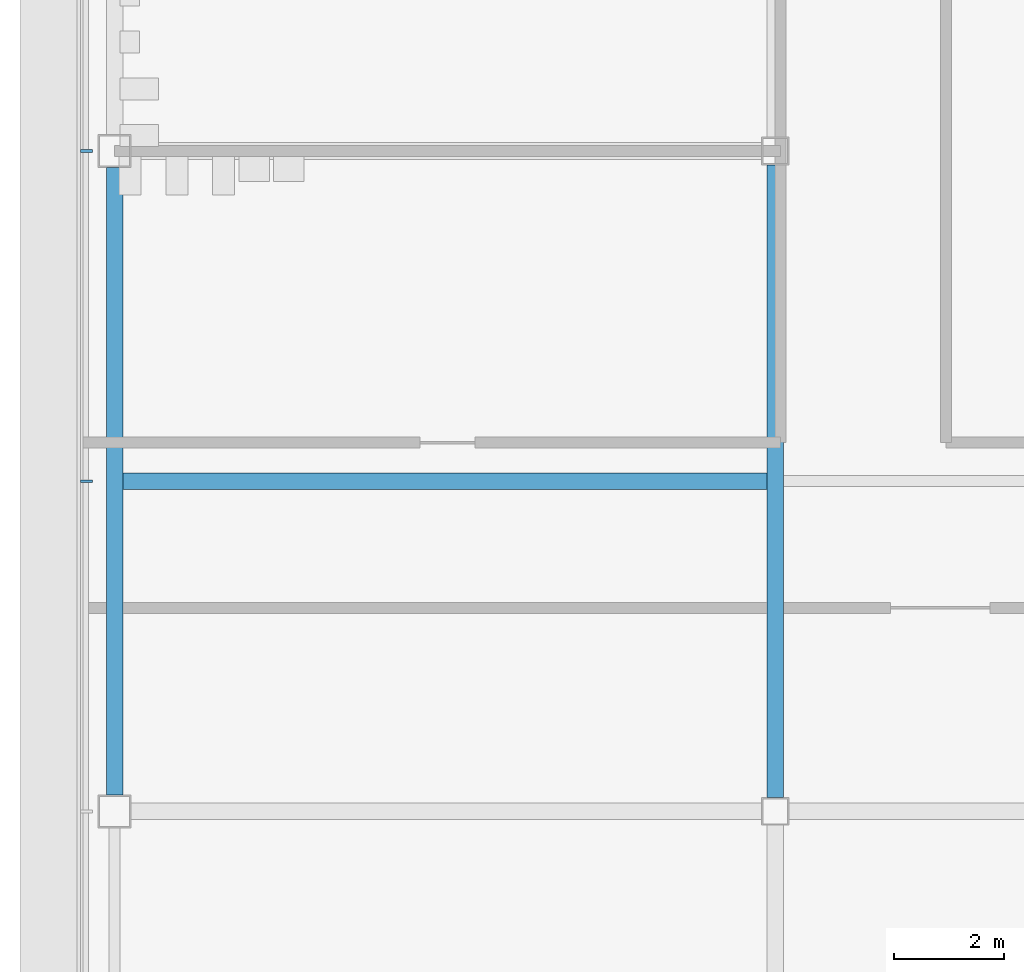
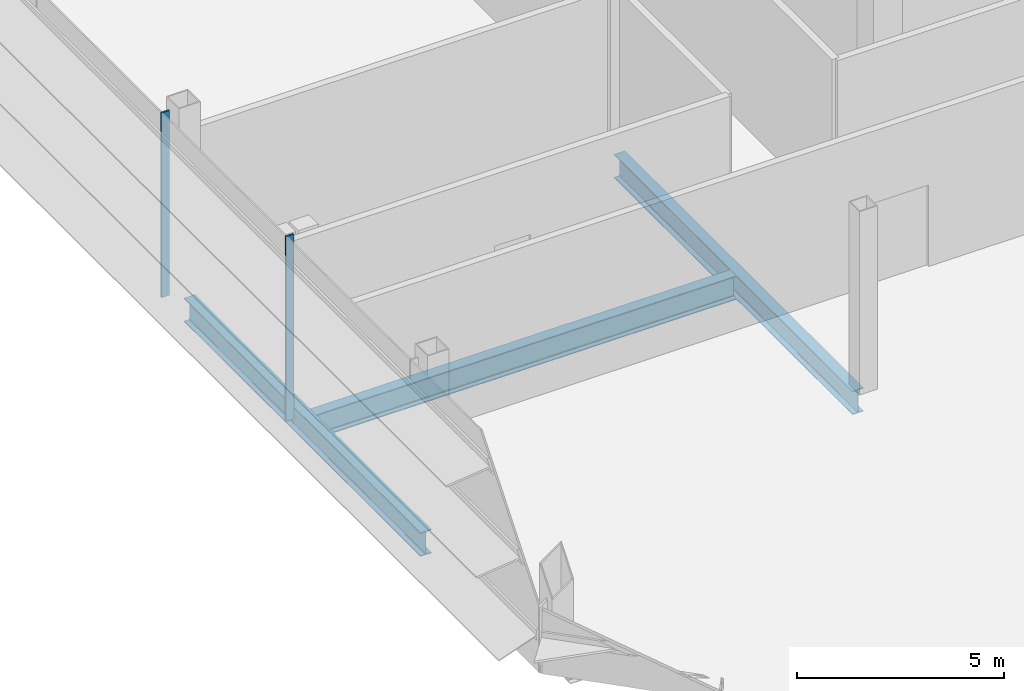
# One storey, part 5 of 26: 3 beams, 2 members, 1 element without a shape of its own.
"""IFC4 building model written with IfcOpenShell, lengths in metres."""

import ifcopenshell
import ifcopenshell.guid

model = None  # the IFC model being written
_history = None  # IfcOwnerHistory: only IFC2X3 demands one
_inside = {}  # id of a spatial element -> (the spatial element, [elements in it])
_under = {}  # id of a project, library or spatial element -> (it, [spatial elements below it])
_declared = {}  # id of a project -> (the project, [libraries it declares])
_typed = {}  # id of a type object -> (the type object, [elements of that type])
_made_of = {}  # id of a material, layer set ... -> (it, [elements and type objects made of it])


def new_model(schema):
    """Start an empty IFC model of exactly this schema.

    Asked for "IFC4X3", IfcOpenShell would pick the latest addendum, in which some entities
    have other attributes; the version numbers below select the first issue.
    IFC2X3 requires an IfcOwnerHistory on every rooted entity: one is made here for all.
    """
    global model, _history
    if schema == "IFC4X3":
        model = ifcopenshell.file(schema_version=(4, 3, 0, 0))
    else:
        model = ifcopenshell.file(schema=schema)
    _inside.clear()
    _under.clear()
    _declared.clear()
    _typed.clear()
    _made_of.clear()
    _history = None
    if model.schema == "IFC2X3":
        org = make("IfcOrganization", Name="unknown")
        user = make(
            "IfcPersonAndOrganization",
            ThePerson=make("IfcPerson", FamilyName="unknown"),
            TheOrganization=org,
        )
        app = make(
            "IfcApplication",
            ApplicationDeveloper=org,
            Version="unknown",
            ApplicationFullName="unknown",
            ApplicationIdentifier="unknown",
        )
        _history = make(
            "IfcOwnerHistory",
            OwningUser=user,
            OwningApplication=app,
            ChangeAction="ADDED",
            CreationDate=0,
        )
    return model


def make(cls, **values):
    """One entity of the class cls with the attributes given. An attribute that is None is left unset."""
    return model.create_entity(
        cls, **{name: value for name, value in values.items() if value is not None}
    )


def rooted(cls, **values):
    """An entity with a GlobalId (a new one), such as an element, a storey or a relation."""
    return make(cls, GlobalId=ifcopenshell.guid.new(), OwnerHistory=_history, **values)


def si_unit(unit_type, name, prefix=None):
    """IfcSIUnit, for example si_unit("LENGTHUNIT", "METRE", prefix="MILLI")."""
    return make("IfcSIUnit", UnitType=unit_type, Prefix=prefix, Name=name)


def assignment(units):
    """IfcUnitAssignment: the units of a project."""
    return None if units is None else make("IfcUnitAssignment", Units=units)


def point(xyz):
    """IfcCartesianPoint."""
    return None if xyz is None else make("IfcCartesianPoint", Coordinates=xyz)


def direction(xyz):
    """IfcDirection."""
    return None if xyz is None else make("IfcDirection", DirectionRatios=xyz)


def frame(location, z_axis=None, x_axis=None):
    """IfcAxis2Placement3D, a coordinate frame: its origin and axes. An axis left out is left unset."""
    return make(
        "IfcAxis2Placement3D",
        Location=point(location),
        Axis=direction(z_axis),
        RefDirection=direction(x_axis),
    )


def frame_2d(location, x_axis=None):
    """IfcAxis2Placement2D, a coordinate frame in the plane: its origin and x axis."""
    return make(
        "IfcAxis2Placement2D", Location=point(location), RefDirection=direction(x_axis)
    )


def origin():
    """The frame at (0, 0, 0) with its axes left unset."""
    return frame((0.0, 0.0, 0.0))


def origin_2d():
    """The frame at (0, 0) in the plane with its x axis left unset."""
    return frame_2d((0.0, 0.0))


def place(relative_to, where):
    """IfcLocalPlacement: puts the frame where relative to a parent placement (None: the world)."""
    return make(
        "IfcLocalPlacement", PlacementRelTo=relative_to, RelativePlacement=where
    )


def context(
    kind, dimensions, precision=None, world=None, true_north=None, identifier=None
):
    """IfcGeometricRepresentationContext, for example the 3D "Model" context."""
    return make(
        "IfcGeometricRepresentationContext",
        ContextIdentifier=identifier,
        ContextType=kind,
        CoordinateSpaceDimension=dimensions,
        Precision=precision,
        WorldCoordinateSystem=world,
        TrueNorth=true_north,
    )


def subcontext(parent, identifier, kind, view, scale=None):
    """IfcGeometricRepresentationSubContext, for example "Body" below "Model"."""
    return make(
        "IfcGeometricRepresentationSubContext",
        ContextIdentifier=identifier,
        ContextType=kind,
        ParentContext=parent,
        TargetScale=scale,
        TargetView=view,
    )


def project(units=None, contexts=None):
    """IfcProject with its units and contexts."""
    return rooted(
        "IfcProject",
        Name="project",
        RepresentationContexts=contexts,
        UnitsInContext=assignment(units),
    )


def spatial(cls, under=None, at=None, **own):
    """A site, building, storey or space (cls), placed at a placement, below another one or the project."""
    s = rooted(cls, ObjectPlacement=at, **own)
    if under is not None:
        _under.setdefault(under.id(), (under, []))[1].append(s)
    return s


def profile(cls, at=None, kind="AREA", **sizes):
    """A parametric profile (cls). Its sizes go by their IFC names, for example OverallWidth=200.0."""
    return make(cls, ProfileType=kind, Position=at, **sizes)


def rectangle(**sizes):
    """IfcRectangleProfileDef."""
    return profile("IfcRectangleProfileDef", **sizes)


def i_section(**sizes):
    """IfcIShapeProfileDef."""
    return profile("IfcIShapeProfileDef", **sizes)


def extrude(swept, where, along, depth):
    """IfcExtrudedAreaSolid: the profile swept, set in the frame where, extruded along a direction by depth."""
    return make(
        "IfcExtrudedAreaSolid",
        SweptArea=swept,
        Position=where,
        ExtrudedDirection=direction(along),
        Depth=depth,
    )


def shape(context_of_items, identifier, shape_type, items):
    """IfcShapeRepresentation: the items that make up one representation, for example the "Body"."""
    return make(
        "IfcShapeRepresentation",
        ContextOfItems=context_of_items,
        RepresentationIdentifier=identifier,
        RepresentationType=shape_type,
        Items=items,
    )


def material(Name=None, Category=None):
    """IfcMaterial."""
    return make("IfcMaterial", Name=Name, Category=Category)


def material_profile(
    of_material, cross_section, Name=None, Category=None, Priority=None
):
    """IfcMaterialProfile: a cross section and its material."""
    return make(
        "IfcMaterialProfile",
        Name=Name,
        Material=of_material,
        Profile=cross_section,
        Priority=Priority,
        Category=Category,
    )


def profile_set(profiles, Name=None, composite=None):
    """IfcMaterialProfileSet."""
    return make(
        "IfcMaterialProfileSet",
        Name=Name,
        MaterialProfiles=profiles,
        CompositeProfile=composite,
    )


def made_of(thing, what):
    """Note that an element or type object is made of a material, layer set ...; save() writes the relation."""
    if what is not None:
        _made_of.setdefault(what.id(), (what, []))[1].append(thing)
    return thing


def type_object(cls, material=None, **own):
    """A type object (cls), such as IfcWallType, which elements share."""
    return made_of(rooted(cls, **own), material)


def element(
    cls,
    number,
    at=None,
    inside=None,
    cuts=None,
    type_object=None,
    material=None,
    context=None,
    identifier="Body",
    shape_type=None,
    held_by="IfcProductDefinitionShape",
    body=None,
    shapes=None,
    **own,
):
    """One element of the class cls, such as IfcWall. Its Tag is "e" and its number.

    at: its placement. inside: the storey or other place that contains it. cuts: it is an
    opening in that element (IfcRelVoidsElement). A single representation is given by context,
    identifier, shape_type and body (its items); several are given by shapes. held_by: the class
    of the entity that holds the representations. save() writes the other relations.
    """
    e = rooted(cls, Tag="e%d" % number, ObjectPlacement=at, **own)
    if body is not None:
        shapes = [shape(context, identifier, shape_type, body)]
    if shapes is not None:
        e.Representation = make(held_by, Representations=shapes)
    if inside is not None:
        _inside.setdefault(inside.id(), (inside, []))[1].append(e)
    if cuts is not None:
        rooted(
            "IfcRelVoidsElement", RelatingBuildingElement=cuts, RelatedOpeningElement=e
        )
    if type_object is not None:
        _typed.setdefault(type_object.id(), (type_object, []))[1].append(e)
    return made_of(e, material)


def aggregate(whole, parts):
    """IfcRelAggregates: a whole, such as a stair, and the parts it consists of."""
    return rooted("IfcRelAggregates", RelatingObject=whole, RelatedObjects=parts)


def save(model, path):
    """Write the relations noted so far, then the file.

    IfcRelAggregates (storeys below a building ...), IfcRelContainedInSpatialStructure (elements
    in a storey), IfcRelDefinesByType, IfcRelAssociatesMaterial and IfcRelDeclares: one each for
    every whole, place, type object, material and project.
    """
    for whole, parts in _under.values():
        aggregate(whole, parts)
    for where, things in _inside.values():
        rooted(
            "IfcRelContainedInSpatialStructure",
            RelatedElements=things,
            RelatingStructure=where,
        )
    for kind, things in _typed.values():
        rooted("IfcRelDefinesByType", RelatedObjects=things, RelatingType=kind)
    for what, things in _made_of.values():
        rooted("IfcRelAssociatesMaterial", RelatedObjects=things, RelatingMaterial=what)
    for by, libraries in _declared.values():
        rooted("IfcRelDeclares", RelatingContext=by, RelatedDefinitions=libraries)
    model.write(path)


model = new_model("IFC4")

# Units and contexts
model_context = context("Model", 3, precision=1e-05, world=origin(), true_north=direction((0.0, 1.0)))
body_context = subcontext(model_context, "Body", "Model", "MODEL_VIEW")
ifc_project = project(units=[si_unit("LENGTHUNIT", "METRE"), si_unit("AREAUNIT", "SQUARE_METRE"), si_unit("VOLUMEUNIT", "CUBIC_METRE"), si_unit("PLANEANGLEUNIT", "RADIAN"), si_unit("MASSUNIT", "GRAM", prefix="KILO")], contexts=[model_context])

# Site, building, storey
site_placement = place(None, origin())
site = spatial("IfcSite", under=ifc_project, at=site_placement, CompositionType="ELEMENT")
building_placement = place(site_placement, origin())
building = spatial("IfcBuilding", under=site, at=building_placement, Name="Sorahane Residences", CompositionType="ELEMENT")
storey_placement = place(building_placement, frame((0.0, 0.0, 257.60009765625)))
storey = spatial("IfcBuildingStorey", under=building, at=storey_placement, Name="L61", CompositionType="ELEMENT", Elevation=257.60009765625)

# Curtain wall, members
ifc_material_1 = material(Name="Dark low-e glass and black anodised aluminium", Category="aluminium")
curtain_wall_type = type_object("IfcCurtainWallType", Name="Curtain wall CW-4 Sky floor frameless wall", PredefinedType="NOTDEFINED", material=ifc_material_1)
curtain_wall_placement = place(storey_placement, origin())
curtain_wall = element("IfcCurtainWall", 1, at=curtain_wall_placement, inside=storey, type_object=curtain_wall_type, Name="CW-4 curtain wall L61 W1", PredefinedType="NOTDEFINED")
ifc_material_2 = material(Name="Black anodised aluminium", Category="aluminium")
ifc_material_profile_1 = material_profile(ifc_material_2, rectangle(XDim=0.219970703125, YDim=0.050048828125, at=origin_2d()), Name="Curtain wall mullion CW-4 black anodised aluminium 50x220")
ifc_profile_set_1 = profile_set([ifc_material_profile_1], Name="Black anodised aluminium")
member_type = type_object("IfcMemberType", Name="Curtain wall mullion CW-4 black anodised aluminium 50x220", PredefinedType="MULLION", material=ifc_profile_set_1)
member_1_placement = place(storey_placement, frame((-12.510009765625, 24.0, -0.22021484375), z_axis=(0.0, 0.0, 1.0), x_axis=(-1.0, 0.0, 0.0)))
member_1 = element("IfcMember", 2, at=member_1_placement, type_object=member_type, Name="CW-4 mullion L61 W1.4", PredefinedType="MULLION", context=body_context, shape_type="SweptSolid", body=[
    extrude(rectangle(XDim=0.219970703125, YDim=0.050048828125, at=origin_2d()), origin(), (0.0, 0.0, 1.0), 5.440185546875),
])
member_2_placement = place(storey_placement, frame((-12.510009765625, 18.0, -0.22021484375), z_axis=(0.0, 0.0, 1.0), x_axis=(-1.0, 0.0, 0.0)))
member_2 = element("IfcMember", 3, at=member_2_placement, type_object=member_type, Name="CW-4 mullion L61 W1.5", PredefinedType="MULLION", context=body_context, shape_type="SweptSolid", body=[
    extrude(rectangle(XDim=0.219970703125, YDim=0.050048828125, at=origin_2d()), origin(), (0.0, 0.0, 1.0), 5.440185546875),
])
aggregate(curtain_wall, [member_1, member_2])

# Beams
ifc_material_3 = material(Name="Steel Q355B", Category="steel")
ifc_material_profile_2 = material_profile(ifc_material_3, i_section(OverallWidth=0.300048828125, OverallDepth=0.699951171875, WebThickness=0.012939453125, FlangeThickness=0.02392578125, FilletRadius=0.028076171875, at=origin_2d()), Name="HN 700x300x13x24")
ifc_profile_set_2 = profile_set([ifc_material_profile_2], Name="Steel Q355B")
beam_type = type_object("IfcBeamType", Name="Steel floor beam HN 700x300x13x24 Q355B", PredefinedType="BEAM", material=ifc_profile_set_2)
beam_1_placement = place(storey_placement, frame((-12.0, 12.300048828125, -0.570068359375), z_axis=(0.0, 1.0, 0.0), x_axis=(-1.0, 0.0, 0.0)))
element("IfcBeam", 4, at=beam_1_placement, inside=storey, type_object=beam_type, Name="Beam L61 021", PredefinedType="BEAM", context=body_context, shape_type="SweptSolid", body=[
    extrude(i_section(OverallWidth=0.300048828125, OverallDepth=0.699951171875, WebThickness=0.012939453125, FlangeThickness=0.02392578125, FilletRadius=0.028076171875, at=origin_2d()), origin(), (0.0, 0.0, 1.0), 11.39990234375),
])
beam_2_placement = place(storey_placement, frame((0.0, 12.25, -0.570068359375), z_axis=(0.0, 1.0, 0.0), x_axis=(-1.0, 0.0, 0.0)))
element("IfcBeam", 5, at=beam_2_placement, inside=storey, type_object=beam_type, Name="Beam L61 025", PredefinedType="BEAM", context=body_context, shape_type="SweptSolid", body=[
    extrude(i_section(OverallWidth=0.300048828125, OverallDepth=0.699951171875, WebThickness=0.012939453125, FlangeThickness=0.02392578125, FilletRadius=0.028076171875, at=origin_2d()), origin(), (0.0, 0.0, 1.0), 11.5),
])
beam_3_placement = place(storey_placement, frame((-11.85009765625, 18.0, -0.570068359375), z_axis=(1.0, 0.0, 0.0), x_axis=(0.0, 1.0, 0.0)))
element("IfcBeam", 6, at=beam_3_placement, inside=storey, type_object=beam_type, Name="Beam L61 078", PredefinedType="BEAM", context=body_context, shape_type="SweptSolid", body=[
    extrude(i_section(OverallWidth=0.300048828125, OverallDepth=0.699951171875, WebThickness=0.012939453125, FlangeThickness=0.02392578125, FilletRadius=0.028076171875, at=origin_2d()), origin(), (0.0, 0.0, 1.0), 11.7001953125),
])

save(model, "model.ifc")
